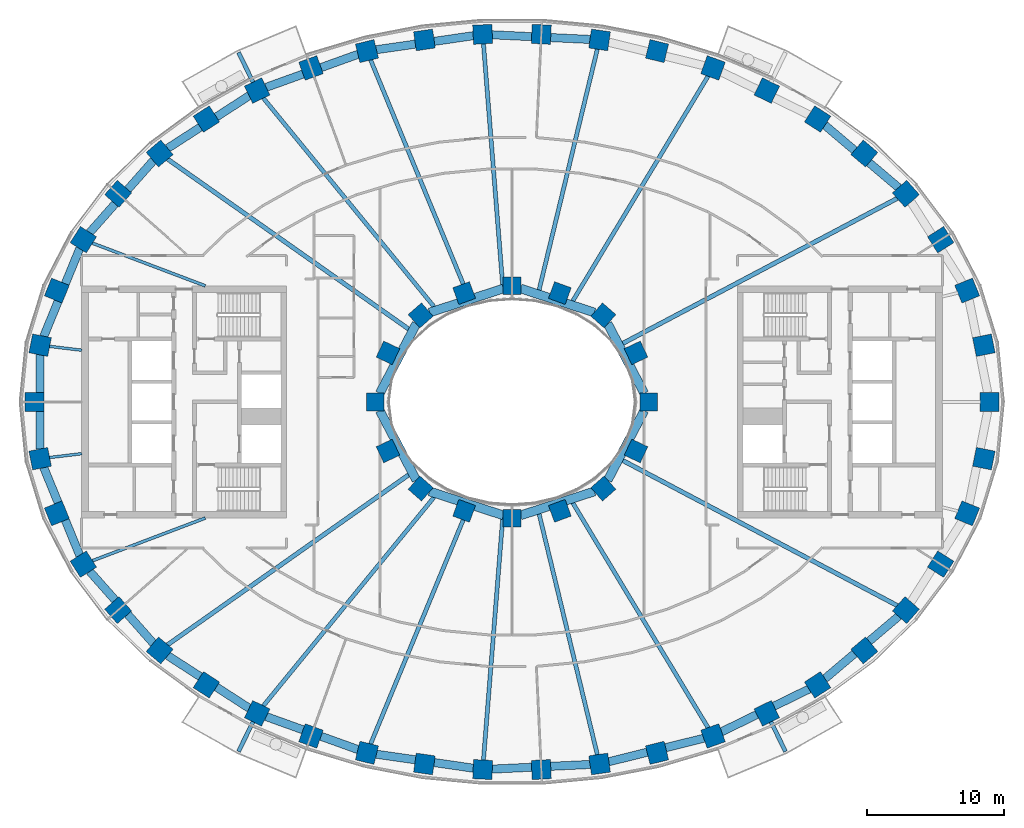
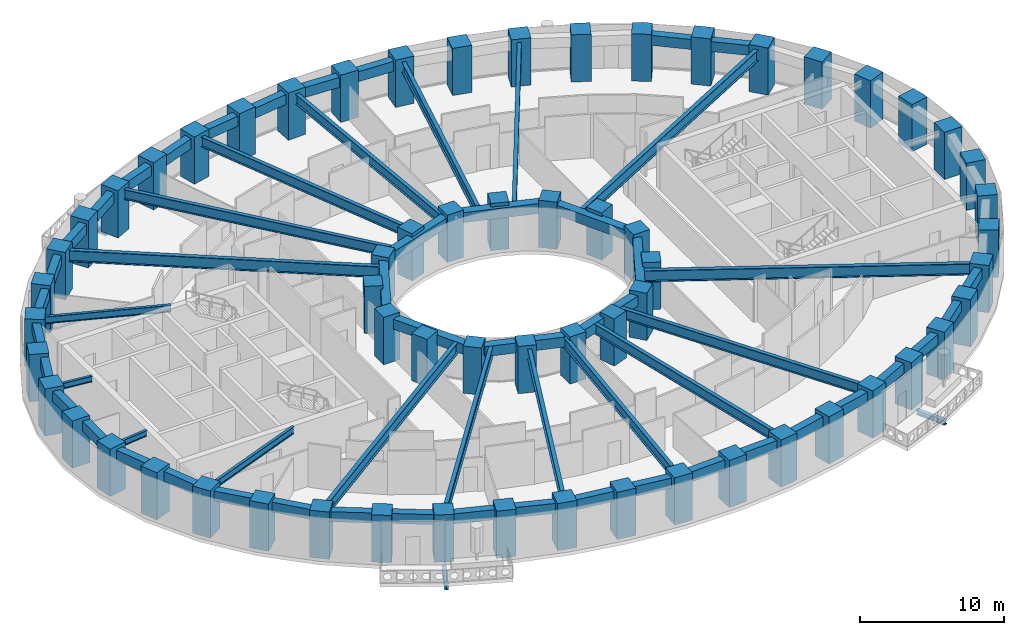
# One storey, part 1 of 16: 62 columns, 46 beams.
"""IFC4 building model written with IfcOpenShell, lengths in metres."""

from ifc_helpers import new_model, si_unit, direction, frame, origin, origin_2d, place, context, subcontext, project, spatial, rectangle, i_section, extrude, material, material_profile, profile_set, type_object, element, save


model = new_model("IFC4")

# Units and contexts
model_context = context("Model", 3, precision=1e-05, world=origin(), true_north=direction((0.0, 1.0)))
body_context = subcontext(model_context, "Body", "Model", "MODEL_VIEW")
ifc_project = project(units=[si_unit("LENGTHUNIT", "METRE"), si_unit("AREAUNIT", "SQUARE_METRE"), si_unit("VOLUMEUNIT", "CUBIC_METRE"), si_unit("PLANEANGLEUNIT", "RADIAN"), si_unit("MASSUNIT", "GRAM", prefix="KILO")], contexts=[model_context])

# Site, building, storey
site_placement = place(None, origin())
site = spatial("IfcSite", under=ifc_project, at=site_placement, CompositionType="ELEMENT")
building_placement = place(site_placement, origin())
building = spatial("IfcBuilding", under=site, at=building_placement, Name="Noorbagh Ring Tower", CompositionType="ELEMENT")
storey_placement = place(building_placement, frame((0.0, 0.0, 74.5)))
storey = spatial("IfcBuildingStorey", under=building, at=storey_placement, Name="L16", CompositionType="ELEMENT", Elevation=74.5)

# Columns
ifc_material_1 = material(Name="Concrete C70/85", Category="concrete")
ifc_material_profile_1 = material_profile(ifc_material_1, rectangle(XDim=1.39990234375, YDim=1.39990234375, at=origin_2d()), Name="RC1400x1400")
ifc_profile_set_1 = profile_set([ifc_material_profile_1], Name="Concrete C70/85")
column_type_1 = type_object("IfcColumnType", Name="STR-COL-RC1400x1400-C70-85", PredefinedType="COLUMN", material=ifc_profile_set_1)
for number, where, z_axis, x_axis, name in (
    (1, (34.944580078125, 0.0, 0.0), (0.0, 0.0, 1.0), (0.0, 1.0, 0.0), "L16/col/R1-01"),
    (2, (34.52685546875, 4.150634765625, 0.0), (0.0, 0.0, 1.0), (-0.19723040178, 0.9803571638, 0.0), "L16/col/R1-02"),
    (3, (33.30517578125, 8.1494140625, 0.0), (0.0, 0.0, 1.0), (-0.378989499959, 0.925400971969, 0.0), "L16/col/R1-03"),
    (4, (31.364990234375, 11.87109375, 0.0), (0.0, 0.0, 1.0), (-0.535190403059, 0.844731455833, 0.0), "L16/col/R1-04"),
    (5, (28.81884765625, 15.23046875, 0.0), (0.0, 0.0, 1.0), (-0.662635642662, 0.748941923699, 0.0), "L16/col/R1-05"),
    (6, (25.78271484375, 18.180419921875, 0.0), (0.0, 0.0, 1.0), (-0.763035199656, 0.646356932419, 0.0), "L16/col/R1-06"),
    (7, (22.362060546875, 20.699951171875, 0.0), (0.0, 0.0, 1.0), (-0.840247639643, 0.542202825586, 0.0), "L16/col/R1-07"),
    (8, (18.646240234375, 22.785400390625, 0.0), (0.0, 0.0, 1.0), (-0.898399080868, 0.439180021741, 0.0), "L16/col/R1-08"),
    (9, (14.70947265625, 24.44091796875, 0.0), (0.0, 0.0, 1.0), (-0.941024726094, 0.338337797003, 0.0), "L16/col/R1-09"),
    (10, (10.61328125, 25.673583984375, 0.0), (0.0, 0.0, 1.0), (-0.970829360981, 0.239771457553, 0.0), "L16/col/R1-10"),
    (11, (6.4091796875, 26.49072265625, 0.0), (0.0, 0.0, 1.0), (-0.989713114048, 0.143066249975, 0.0), "L16/col/R1-11"),
    (12, (2.14306640625, 26.89794921875, 0.0), (0.0, 0.0, 1.0), (-0.998868731212, 0.047552684538, 0.0), "L16/col/R1-12"),
    (13, (-2.14306640625, 26.89794921875, 0.0), (0.0, 0.0, 1.0), (-0.998868731212, -0.047552684538, 0.0), "L16/col/R1-13"),
    (14, (-6.4091796875, 26.49072265625, 0.0), (0.0, 0.0, 1.0), (-0.989713114048, -0.143066249975, 0.0), "L16/col/R1-14"),
    (15, (-10.61328125, 25.673583984375, 0.0), (0.0, 0.0, 1.0), (-0.970829360981, -0.239771457553, 0.0), "L16/col/R1-15"),
    (16, (-14.70947265625, 24.44091796875, 0.0), (0.0, 0.0, 1.0), (-0.941024726094, -0.338337797003, 0.0), "L16/col/R1-16"),
    (17, (-18.646240234375, 22.785400390625, 0.0), (0.0, 0.0, 1.0), (-0.898399080868, -0.439180021741, 0.0), "L16/col/R1-17"),
    (18, (-22.362060546875, 20.699951171875, 0.0), (0.0, 0.0, 1.0), (-0.840247639643, -0.542202825586, 0.0), "L16/col/R1-18"),
    (19, (-25.78271484375, 18.180419921875, 0.0), (0.0, 0.0, 1.0), (-0.763035199656, -0.646356932419, 0.0), "L16/col/R1-19"),
    (20, (-28.81884765625, 15.23046875, 0.0), (0.0, 0.0, 1.0), (-0.662635642662, -0.748941923699, 0.0), "L16/col/R1-20"),
    (21, (-31.364990234375, 11.87109375, 0.0), (0.0, 0.0, 1.0), (-0.535190403059, -0.844731455833, 0.0), "L16/col/R1-21"),
    (22, (-33.30517578125, 8.1494140625, 0.0), (0.0, 0.0, 1.0), (-0.378989499959, -0.925400971969, 0.0), "L16/col/R1-22"),
    (23, (-34.52685546875, 4.150634765625, 0.0), (0.0, 0.0, 1.0), (-0.19723040178, -0.9803571638, 0.0), "L16/col/R1-23"),
    (24, (-34.944580078125, 0.0, 0.0), (0.0, 0.0, 1.0), (0.0, -1.0, 0.0), "L16/col/R1-24"),
    (25, (-34.52685546875, -4.150634765625, 0.0), (0.0, 0.0, 1.0), (0.19723040178, -0.9803571638, 0.0), "L16/col/R1-25"),
    (26, (-33.30517578125, -8.1494140625, 0.0), (0.0, 0.0, 1.0), (0.378989499959, -0.925400971969, 0.0), "L16/col/R1-26"),
    (27, (-31.364990234375, -11.87109375, 0.0), (0.0, 0.0, 1.0), (0.535190403059, -0.844731455833, 0.0), "L16/col/R1-27"),
    (28, (-28.81884765625, -15.23046875, 0.0), (0.0, 0.0, 1.0), (0.662635642662, -0.748941923699, 0.0), "L16/col/R1-28"),
    (29, (-25.78271484375, -18.180419921875, 0.0), (0.0, 0.0, 1.0), (0.763035199656, -0.646356932419, 0.0), "L16/col/R1-29"),
    (30, (-22.362060546875, -20.699951171875, 0.0), (0.0, 0.0, 1.0), (0.840247639643, -0.542202825586, 0.0), "L16/col/R1-30"),
    (31, (-18.646240234375, -22.785400390625, 0.0), (0.0, 0.0, 1.0), (0.898399080868, -0.439180021741, 0.0), "L16/col/R1-31"),
    (32, (-14.70947265625, -24.44091796875, 0.0), (0.0, 0.0, 1.0), (0.941024726094, -0.338337797003, 0.0), "L16/col/R1-32"),
    (33, (-10.61328125, -25.673583984375, 0.0), (0.0, 0.0, 1.0), (0.970829360981, -0.239771457553, 0.0), "L16/col/R1-33"),
    (34, (-6.4091796875, -26.49072265625, 0.0), (0.0, 0.0, 1.0), (0.989713114048, -0.143066249975, 0.0), "L16/col/R1-34"),
    (35, (-2.14306640625, -26.89794921875, 0.0), (0.0, 0.0, 1.0), (0.998868731212, -0.047552684538, 0.0), "L16/col/R1-35"),
    (36, (2.14306640625, -26.89794921875, 0.0), (0.0, 0.0, 1.0), (0.998868731212, 0.047552684538, 0.0), "L16/col/R1-36"),
    (37, (6.4091796875, -26.49072265625, 0.0), (0.0, 0.0, 1.0), (0.989713114048, 0.143066249975, 0.0), "L16/col/R1-37"),
    (38, (10.61328125, -25.673583984375, 0.0), (0.0, 0.0, 1.0), (0.970829360981, 0.239771457553, 0.0), "L16/col/R1-38"),
    (39, (14.70947265625, -24.44091796875, 0.0), (0.0, 0.0, 1.0), (0.941024726094, 0.338337797003, 0.0), "L16/col/R1-39"),
    (40, (18.646240234375, -22.785400390625, 0.0), (0.0, 0.0, 1.0), (0.898399080868, 0.439180021741, 0.0), "L16/col/R1-40"),
    (41, (22.362060546875, -20.699951171875, 0.0), (0.0, 0.0, 1.0), (0.840247639643, 0.542202825586, 0.0), "L16/col/R1-41"),
    (42, (25.78271484375, -18.180419921875, 0.0), (0.0, 0.0, 1.0), (0.763035199656, 0.646356932419, 0.0), "L16/col/R1-42"),
    (43, (28.81884765625, -15.23046875, 0.0), (0.0, 0.0, 1.0), (0.662635642662, 0.748941923699, 0.0), "L16/col/R1-43"),
    (44, (31.364990234375, -11.87109375, 0.0), (0.0, 0.0, 1.0), (0.535190403059, 0.844731455833, 0.0), "L16/col/R1-44"),
    (45, (33.30517578125, -8.1494140625, 0.0), (0.0, 0.0, 1.0), (0.378989499959, 0.925400971969, 0.0), "L16/col/R1-45"),
    (46, (34.52685546875, -4.150634765625, 0.0), (0.0, 0.0, 1.0), (0.19723040178, 0.9803571638, 0.0), "L16/col/R1-46"),
):
    element("IfcColumn", number, at=place(storey_placement, frame(where, z_axis=z_axis, x_axis=x_axis)), inside=storey, type_object=column_type_1, Name=name, PredefinedType="COLUMN", context=body_context, shape_type="SweptSolid", body=[
        extrude(rectangle(XDim=1.39990234375, YDim=1.39990234375, at=origin_2d()), origin(), (0.0, 0.0, 1.0), 4.0),
    ])
ifc_material_2 = material(Name="Concrete C70/85", Category="concrete")
ifc_material_profile_2 = material_profile(ifc_material_2, rectangle(XDim=1.300048828125, YDim=1.300048828125, at=origin_2d()), Name="RC1300x1300")
ifc_profile_set_2 = profile_set([ifc_material_profile_2], Name="Concrete C70/85")
column_type_2 = type_object("IfcColumnType", Name="STR-ICOL-RC1300x1300-C70-85", PredefinedType="COLUMN", material=ifc_profile_set_2)
for number, where, z_axis, x_axis, name in (
    (47, (10.00830078125, 0.0, 0.0), (0.0, 0.0, 1.0), (0.0, 1.0, 0.0), "L16/col/IR2-W01"),
    (48, (9.07568359375, 3.58837890625, 0.0), (0.0, 0.0, 1.0), (-0.428666979171, 0.903462573087, 0.0), "L16/col/IR2-W03"),
    (49, (6.68212890625, 6.333740234375, 0.0), (0.0, 0.0, 1.0), (-0.75102249095, 0.660276622399, 0.0), "L16/col/IR2-W05"),
    (50, (3.5009765625, 7.967041015625, 0.0), (0.0, 0.0, 1.0), (-0.939019578916, 0.343863679984, 0.0), "L16/col/IR2-W07"),
    (51, (0.0, 8.5029296875, 0.0), (0.0, 0.0, 1.0), (-1.0, 0.0, 0.0), "L16/col/IR2-W09"),
    (52, (-3.5009765625, 7.967041015625, 0.0), (0.0, 0.0, 1.0), (-0.939019578916, -0.343863679984, 0.0), "L16/col/IR2-W11"),
    (53, (-6.68212890625, 6.333740234375, 0.0), (0.0, 0.0, 1.0), (-0.75102249095, -0.660276622399, 0.0), "L16/col/IR2-W13"),
    (54, (-9.07568359375, 3.58837890625, 0.0), (0.0, 0.0, 1.0), (-0.428666979171, -0.903462573087, 0.0), "L16/col/IR2-W15"),
    (55, (-10.00830078125, 0.0, 0.0), (0.0, 0.0, 1.0), (0.0, -1.0, 0.0), "L16/col/IR2-W17"),
    (56, (-9.07568359375, -3.58837890625, 0.0), (0.0, 0.0, 1.0), (0.428666979171, -0.903462573087, 0.0), "L16/col/IR2-W19"),
    (57, (-6.68212890625, -6.333740234375, 0.0), (0.0, 0.0, 1.0), (0.75102249095, -0.660276622399, 0.0), "L16/col/IR2-W21"),
    (58, (-3.5009765625, -7.967041015625, 0.0), (0.0, 0.0, 1.0), (0.939019578916, -0.343863679984, 0.0), "L16/col/IR2-W23"),
    (59, (0.0, -8.5029296875, 0.0), (0.0, 0.0, 1.0), (1.0, 0.0, 0.0), "L16/col/IR2-W25"),
    (60, (3.5009765625, -7.967041015625, 0.0), (0.0, 0.0, 1.0), (0.939019578916, 0.343863679984, 0.0), "L16/col/IR2-W27"),
    (61, (6.68212890625, -6.333740234375, 0.0), (0.0, 0.0, 1.0), (0.75102249095, 0.660276622399, 0.0), "L16/col/IR2-W29"),
    (62, (9.07568359375, -3.58837890625, 0.0), (0.0, 0.0, 1.0), (0.428666979171, 0.903462573087, 0.0), "L16/col/IR2-W31"),
):
    element("IfcColumn", number, at=place(storey_placement, frame(where, z_axis=z_axis, x_axis=x_axis)), inside=storey, type_object=column_type_2, Name=name, PredefinedType="COLUMN", context=body_context, shape_type="SweptSolid", body=[
        extrude(rectangle(XDim=1.300048828125, YDim=1.300048828125, at=origin_2d()), origin(), (0.0, 0.0, 1.0), 4.0),
    ])

# Beams
ifc_material_3 = material(Name="Steel S355", Category="steel")
ifc_material_profile_3 = material_profile(ifc_material_3, i_section(OverallWidth=0.300048828125, OverallDepth=0.39990234375, WebThickness=0.013427734375, FlangeThickness=0.02392578125, FilletRadius=0.027099609375, at=origin_2d()), Name="HEB400")
ifc_profile_set_3 = profile_set([ifc_material_profile_3], Name="Steel S355")
beam_type_1 = type_object("IfcBeamType", Name="STR-BALCONY-BRACKET-HEB400", PredefinedType="BEAM", material=ifc_profile_set_3)
for number, where, z_axis, x_axis, name in (
    (63, (-18.945068359375, 23.396240234375, -0.5), (-0.439222770869, 0.898378181809, 0.0), (-0.898378181809, -0.439222770869, 0.0), "Balcony bracket beam BN05"),
    (64, (-18.945068359375, -23.396240234375, -0.5), (-0.439222770869, -0.898378181809, 0.0), (0.898378181809, -0.439222770869, 0.0), "Balcony bracket beam BS02"),
    (65, (18.945068359375, -23.396240234375, -0.5), (0.439222770869, -0.898378181809, 0.0), (0.898378181809, 0.439222770869, 0.0), "Balcony bracket beam BS05"),
):
    element("IfcBeam", number, at=place(storey_placement, frame(where, z_axis=z_axis, x_axis=x_axis)), inside=storey, type_object=beam_type_1, Name=name, PredefinedType="BEAM", context=body_context, shape_type="SweptSolid", body=[
        extrude(i_section(OverallWidth=0.300048828125, OverallDepth=0.39990234375, WebThickness=0.013427734375, FlangeThickness=0.02392578125, FilletRadius=0.027099609375, at=origin_2d()), origin(), (0.0, 0.0, 1.0), 2.425048828125),
    ])
ifc_material_4 = material(Name="Steel S355", Category="steel")
ifc_material_profile_4 = material_profile(ifc_material_4, i_section(OverallWidth=0.199951171875, OverallDepth=0.5, WebThickness=0.01025390625, FlangeThickness=0.01611328125, FilletRadius=0.02099609375, at=origin_2d()), Name="IPE500")
ifc_profile_set_4 = profile_set([ifc_material_profile_4], Name="Steel S355")
beam_type_2 = type_object("IfcBeamType", Name="STR-RAD-IPE500", PredefinedType="BEAM", material=ifc_profile_set_4)
for number, where, z_axis, x_axis, name in (
    (66, (-33.849365234375, 4.0693359375, 3.449951171875), (0.992846305677, -0.119399385689, 0.0), (0.119399385689, 0.992846305677, 0.0), "L16/bm/RD23"),
    (67, (-33.849365234375, -4.0693359375, 3.449951171875), (0.992846305677, 0.119399385689, 0.0), (-0.119399385689, 0.992846305677, 0.0), "L16/bm/RD25"),
):
    element("IfcBeam", number, at=place(storey_placement, frame(where, z_axis=z_axis, x_axis=x_axis)), inside=storey, type_object=beam_type_2, Name=name, PredefinedType="BEAM", context=body_context, shape_type="SweptSolid", body=[
        extrude(i_section(OverallWidth=0.199951171875, OverallDepth=0.5, WebThickness=0.01025390625, FlangeThickness=0.01611328125, FilletRadius=0.02099609375, at=origin_2d()), origin(), (0.0, 0.0, 1.0), 2.38623046875),
    ])
ifc_material_5 = material(Name="Steel S355", Category="steel")
ifc_material_profile_5 = material_profile(ifc_material_5, i_section(OverallWidth=0.219970703125, OverallDepth=0.60009765625, WebThickness=0.011962890625, FlangeThickness=0.01904296875, FilletRadius=0.02392578125, at=origin_2d()), Name="IPE600")
ifc_profile_set_5 = profile_set([ifc_material_profile_5], Name="Steel S355")
beam_type_3 = type_object("IfcBeamType", Name="STR-RAD-IPE600", PredefinedType="BEAM", material=ifc_profile_set_5)
for number, where, z_axis, x_axis, name in (
    (68, (-30.71533203125, 11.625, 3.39990234375), (0.935257869922, -0.353967112524, 0.0), (0.353967112524, 0.935257869922, 0.0), "L16/bm/RD21"),
    (69, (-30.71533203125, -11.625, 3.39990234375), (0.935257869922, 0.353967112524, 0.0), (-0.353967112524, 0.935257869922, 0.0), "L16/bm/RD27"),
):
    element("IfcBeam", number, at=place(storey_placement, frame(where, z_axis=z_axis, x_axis=x_axis)), inside=storey, type_object=beam_type_3, Name=name, PredefinedType="BEAM", context=body_context, shape_type="SweptSolid", body=[
        extrude(i_section(OverallWidth=0.219970703125, OverallDepth=0.60009765625, WebThickness=0.011962890625, FlangeThickness=0.01904296875, FilletRadius=0.02392578125, at=origin_2d()), origin(), (0.0, 0.0, 1.0), 8.848388671875),
    ])
ifc_material_6 = material(Name="Steel S355", Category="steel")
ifc_material_profile_6 = material_profile(ifc_material_6, i_section(OverallWidth=0.300048828125, OverallDepth=0.85009765625, WebThickness=0.013916015625, FlangeThickness=0.028076171875, at=origin_2d()), Name="PG850x300x14x28")
ifc_profile_set_6 = profile_set([ifc_material_profile_6], Name="Steel S355")
beam_type_4 = type_object("IfcBeamType", Name="STR-RAD-PG850x300x14x28", PredefinedType="BEAM", material=ifc_profile_set_6)
beam_1_placement = place(storey_placement, frame((14.351806640625, 23.846435546875, 3.27490234375), z_axis=(-0.515659258166, -0.856793749667, 0.0), x_axis=(0.856793749667, -0.515659258166, 0.0)))
element("IfcBeam", 70, at=beam_1_placement, inside=storey, type_object=beam_type_4, Name="L16/bm/RD09", PredefinedType="BEAM", context=body_context, shape_type="SweptSolid", body=[
    extrude(i_section(OverallWidth=0.300048828125, OverallDepth=0.85009765625, WebThickness=0.013916015625, FlangeThickness=0.028076171875, at=origin_2d()), origin(), (0.0, 0.0, 1.0), 19.216552734375),
])
beam_2_placement = place(storey_placement, frame((6.24853515625, 25.826904296875, 3.27490234375), z_axis=(-0.235159307557, -0.971956840641, 0.0), x_axis=(0.971956840641, -0.235159307557, 0.0)))
element("IfcBeam", 71, at=beam_2_placement, inside=storey, type_object=beam_type_4, Name="L16/bm/RD11", PredefinedType="BEAM", context=body_context, shape_type="SweptSolid", body=[
    extrude(i_section(OverallWidth=0.300048828125, OverallDepth=0.85009765625, WebThickness=0.013916015625, FlangeThickness=0.028076171875, at=origin_2d()), origin(), (0.0, 0.0, 1.0), 18.15478515625),
])
beam_3_placement = place(storey_placement, frame((-2.089111328125, 26.2197265625, 3.27490234375), z_axis=(0.079423302335, -0.996840979819, 0.0), x_axis=(0.996840979819, 0.079423302335, 0.0)))
element("IfcBeam", 72, at=beam_3_placement, inside=storey, type_object=beam_type_4, Name="L16/bm/RD13", PredefinedType="BEAM", context=body_context, shape_type="SweptSolid", body=[
    extrude(i_section(OverallWidth=0.300048828125, OverallDepth=0.85009765625, WebThickness=0.013916015625, FlangeThickness=0.028076171875, at=origin_2d()), origin(), (0.0, 0.0, 1.0), 17.874755859375),
])
beam_4_placement = place(storey_placement, frame((-10.350341796875, 25.037841796875, 3.27490234375), z_axis=(0.382027684337, -0.924150879673, 0.0), x_axis=(0.924150879673, 0.382027684337, 0.0)))
element("IfcBeam", 73, at=beam_4_placement, inside=storey, type_object=beam_type_4, Name="L16/bm/RD15", PredefinedType="BEAM", context=body_context, shape_type="SweptSolid", body=[
    extrude(i_section(OverallWidth=0.300048828125, OverallDepth=0.85009765625, WebThickness=0.013916015625, FlangeThickness=0.028076171875, at=origin_2d()), origin(), (0.0, 0.0, 1.0), 18.6748046875),
])
for number, where, z_axis, x_axis, name in (
    (74, (-18.20361328125, 22.244384765625, 3.27490234375), (0.633313916814, -0.773895007588, 0.0), (0.773895007588, 0.633313916814, 0.0), "L16/bm/RD17"),
    (75, (-18.20361328125, -22.244384765625, 3.27490234375), (0.633313916814, 0.773895007588, 0.0), (-0.773895007588, 0.633313916814, 0.0), "L16/bm/RD31"),
):
    element("IfcBeam", number, at=place(storey_placement, frame(where, z_axis=z_axis, x_axis=x_axis)), inside=storey, type_object=beam_type_4, Name=name, PredefinedType="BEAM", context=body_context, shape_type="SweptSolid", body=[
        extrude(i_section(OverallWidth=0.300048828125, OverallDepth=0.85009765625, WebThickness=0.013916015625, FlangeThickness=0.028076171875, at=origin_2d()), origin(), (0.0, 0.0, 1.0), 19.733642578125),
    ])
beam_5_placement = place(storey_placement, frame((-10.350341796875, -25.037841796875, 3.27490234375), z_axis=(0.382027684337, 0.924150879673, 0.0), x_axis=(-0.924150879673, 0.382027684337, 0.0)))
element("IfcBeam", 76, at=beam_5_placement, inside=storey, type_object=beam_type_4, Name="L16/bm/RD33", PredefinedType="BEAM", context=body_context, shape_type="SweptSolid", body=[
    extrude(i_section(OverallWidth=0.300048828125, OverallDepth=0.85009765625, WebThickness=0.013916015625, FlangeThickness=0.028076171875, at=origin_2d()), origin(), (0.0, 0.0, 1.0), 18.6748046875),
])
beam_6_placement = place(storey_placement, frame((-2.089111328125, -26.2197265625, 3.27490234375), z_axis=(0.079423302335, 0.996840979819, 0.0), x_axis=(-0.996840979819, 0.079423302335, 0.0)))
element("IfcBeam", 77, at=beam_6_placement, inside=storey, type_object=beam_type_4, Name="L16/bm/RD35", PredefinedType="BEAM", context=body_context, shape_type="SweptSolid", body=[
    extrude(i_section(OverallWidth=0.300048828125, OverallDepth=0.85009765625, WebThickness=0.013916015625, FlangeThickness=0.028076171875, at=origin_2d()), origin(), (0.0, 0.0, 1.0), 17.874755859375),
])
beam_7_placement = place(storey_placement, frame((6.24853515625, -25.826904296875, 3.27490234375), z_axis=(-0.235159307557, 0.971956840641, 0.0), x_axis=(-0.971956840641, -0.235159307557, 0.0)))
element("IfcBeam", 78, at=beam_7_placement, inside=storey, type_object=beam_type_4, Name="L16/bm/RD37", PredefinedType="BEAM", context=body_context, shape_type="SweptSolid", body=[
    extrude(i_section(OverallWidth=0.300048828125, OverallDepth=0.85009765625, WebThickness=0.013916015625, FlangeThickness=0.028076171875, at=origin_2d()), origin(), (0.0, 0.0, 1.0), 18.15478515625),
])
beam_8_placement = place(storey_placement, frame((14.351806640625, -23.846435546875, 3.27490234375), z_axis=(-0.515659258166, 0.856793749667, 0.0), x_axis=(-0.856793749667, -0.515659258166, 0.0)))
element("IfcBeam", 79, at=beam_8_placement, inside=storey, type_object=beam_type_4, Name="L16/bm/RD39", PredefinedType="BEAM", context=body_context, shape_type="SweptSolid", body=[
    extrude(i_section(OverallWidth=0.300048828125, OverallDepth=0.85009765625, WebThickness=0.013916015625, FlangeThickness=0.028076171875, at=origin_2d()), origin(), (0.0, 0.0, 1.0), 19.216552734375),
])
ifc_material_7 = material(Name="Steel S355", Category="steel")
ifc_material_profile_7 = material_profile(ifc_material_7, i_section(OverallWidth=0.320068359375, OverallDepth=0.949951171875, WebThickness=0.01611328125, FlangeThickness=0.030029296875, at=origin_2d()), Name="PG950x320x16x30")
ifc_profile_set_7 = profile_set([ifc_material_profile_7], Name="Steel S355")
beam_type_5 = type_object("IfcBeamType", Name="STR-RAD-PG950x320x16x30", PredefinedType="BEAM", material=ifc_profile_set_7)
beam_9_placement = place(storey_placement, frame((28.19970703125, 14.9033203125, 3.22509765625), z_axis=(-0.884122895435, -0.467254433652, 0.0), x_axis=(0.467254433652, -0.884122895435, 0.0)))
element("IfcBeam", 80, at=beam_9_placement, inside=storey, type_object=beam_type_5, Name="L16/bm/RD05", PredefinedType="BEAM", context=body_context, shape_type="SweptSolid", body=[
    extrude(i_section(OverallWidth=0.320068359375, OverallDepth=0.949951171875, WebThickness=0.01611328125, FlangeThickness=0.030029296875, at=origin_2d()), origin(), (0.0, 0.0, 1.0), 22.729736328125),
])
for number, where, z_axis, x_axis, name in (
    (81, (-25.2080078125, 17.775146484375, 3.22509765625), (0.817254380301, -0.576277084291, 0.0), (0.576277084291, 0.817254380301, 0.0), "L16/bm/RD19"),
    (82, (-25.2080078125, -17.775146484375, 3.22509765625), (0.817254380301, 0.576277084291, 0.0), (-0.576277084291, 0.817254380301, 0.0), "L16/bm/RD29"),
):
    element("IfcBeam", number, at=place(storey_placement, frame(where, z_axis=z_axis, x_axis=x_axis)), inside=storey, type_object=beam_type_5, Name=name, PredefinedType="BEAM", context=body_context, shape_type="SweptSolid", body=[
        extrude(i_section(OverallWidth=0.320068359375, OverallDepth=0.949951171875, WebThickness=0.01611328125, FlangeThickness=0.030029296875, at=origin_2d()), origin(), (0.0, 0.0, 1.0), 21.599853515625),
    ])
beam_10_placement = place(storey_placement, frame((28.19970703125, -14.9033203125, 3.22509765625), z_axis=(-0.884122895435, 0.467254433652, 0.0), x_axis=(-0.467254433652, -0.884122895435, 0.0)))
element("IfcBeam", 83, at=beam_10_placement, inside=storey, type_object=beam_type_5, Name="L16/bm/RD43", PredefinedType="BEAM", context=body_context, shape_type="SweptSolid", body=[
    extrude(i_section(OverallWidth=0.320068359375, OverallDepth=0.949951171875, WebThickness=0.01611328125, FlangeThickness=0.030029296875, at=origin_2d()), origin(), (0.0, 0.0, 1.0), 22.729736328125),
])
ifc_material_8 = material(Name="Concrete C40/50", Category="concrete")
ifc_material_profile_8 = material_profile(ifc_material_8, rectangle(XDim=0.64990234375, YDim=0.85009765625, at=origin_2d()), Name="RC650x850")
ifc_profile_set_8 = profile_set([ifc_material_profile_8], Name="Concrete C40/50")
beam_type_6 = type_object("IfcBeamType", Name="STR-RB-RC650x850-C40-50", PredefinedType="BEAM", material=ifc_profile_set_8)
beam_11_placement = place(storey_placement, frame((9.67626953125, 0.63232421875, 3.27490234375), z_axis=(-0.464932685401, 0.885346032942, 0.0), x_axis=(-0.885346032942, -0.464932685401, 0.0)))
element("IfcBeam", 84, at=beam_11_placement, inside=storey, type_object=beam_type_6, Name="L16/bm/RG01", PredefinedType="BEAM", context=body_context, shape_type="SweptSolid", body=[
    extrude(rectangle(XDim=0.64990234375, YDim=0.85009765625, at=origin_2d()), origin(), (0.0, 0.0, 1.0), 5.763671875),
])
for number, where, z_axis, x_axis, name in (
    (85, (6.02783203125, 6.546142578125, 3.27490234375), (-0.95114088461, 0.308757214691, 0.0), (-0.308757214691, -0.95114088461, 0.0), "L16/bm/RG03"),
    (86, (-0.630859375, 8.298095703125, 3.27490234375), (-0.95114088461, -0.308757214691, 0.0), (0.308757214691, -0.95114088461, 0.0), "L16/bm/RG05"),
):
    element("IfcBeam", number, at=place(storey_placement, frame(where, z_axis=z_axis, x_axis=x_axis)), inside=storey, type_object=beam_type_6, Name=name, PredefinedType="BEAM", context=body_context, shape_type="SweptSolid", body=[
        extrude(rectangle(XDim=0.64990234375, YDim=0.85009765625, at=origin_2d()), origin(), (0.0, 0.0, 1.0), 5.67431640625),
    ])
for number, where, z_axis, x_axis, name in (
    (87, (-6.99658203125, 5.735107421875, 3.27490234375), (-0.464932685401, -0.885346032942, 0.0), (0.885346032942, -0.464932685401, 0.0), "L16/bm/RG07"),
    (88, (-9.67626953125, -0.63232421875, 3.27490234375), (0.464932685401, -0.885346032942, 0.0), (0.885346032942, 0.464932685401, 0.0), "L16/bm/RG09"),
):
    element("IfcBeam", number, at=place(storey_placement, frame(where, z_axis=z_axis, x_axis=x_axis)), inside=storey, type_object=beam_type_6, Name=name, PredefinedType="BEAM", context=body_context, shape_type="SweptSolid", body=[
        extrude(rectangle(XDim=0.64990234375, YDim=0.85009765625, at=origin_2d()), origin(), (0.0, 0.0, 1.0), 5.763671875),
    ])
for number, where, z_axis, x_axis, name in (
    (89, (-6.02783203125, -6.546142578125, 3.27490234375), (0.95114088461, -0.308757214691, 0.0), (0.308757214691, 0.95114088461, 0.0), "L16/bm/RG11"),
    (90, (0.630859375, -8.298095703125, 3.27490234375), (0.95114088461, 0.308757214691, 0.0), (-0.308757214691, 0.95114088461, 0.0), "L16/bm/RG13"),
):
    element("IfcBeam", number, at=place(storey_placement, frame(where, z_axis=z_axis, x_axis=x_axis)), inside=storey, type_object=beam_type_6, Name=name, PredefinedType="BEAM", context=body_context, shape_type="SweptSolid", body=[
        extrude(rectangle(XDim=0.64990234375, YDim=0.85009765625, at=origin_2d()), origin(), (0.0, 0.0, 1.0), 5.67431640625),
    ])
beam_12_placement = place(storey_placement, frame((6.99658203125, -5.735107421875, 3.27490234375), z_axis=(0.464932685401, 0.885346032942, 0.0), x_axis=(-0.885346032942, 0.464932685401, 0.0)))
element("IfcBeam", 91, at=beam_12_placement, inside=storey, type_object=beam_type_6, Name="L16/bm/RG15", PredefinedType="BEAM", context=body_context, shape_type="SweptSolid", body=[
    extrude(rectangle(XDim=0.64990234375, YDim=0.85009765625, at=origin_2d()), origin(), (0.0, 0.0, 1.0), 5.763671875),
])
ifc_material_9 = material(Name="Concrete C40/50", Category="concrete")
ifc_material_profile_9 = material_profile(ifc_material_9, rectangle(XDim=0.60009765625, YDim=0.85009765625, at=origin_2d()), Name="RC600x850")
ifc_profile_set_9 = profile_set([ifc_material_profile_9], Name="Concrete C40/50")
beam_type_7 = type_object("IfcBeamType", Name="STR-SB-RC600x850-C40-50", PredefinedType="BEAM", material=ifc_profile_set_9)
beam_13_placement = place(storey_placement, frame((28.29443359375, 15.6748046875, 3.27490234375), z_axis=(-0.763038677853, 0.646352826327, 0.0), x_axis=(-0.646352826327, -0.763038677853, 0.0)))
element("IfcBeam", 92, at=beam_13_placement, inside=storey, type_object=beam_type_7, Name="L16/bm/SP05", PredefinedType="BEAM", context=body_context, shape_type="SweptSolid", body=[
    extrude(rectangle(XDim=0.60009765625, YDim=0.85009765625, at=origin_2d()), origin(), (0.0, 0.0, 1.0), 7.088623046875),
])
beam_14_placement = place(storey_placement, frame((5.726806640625, 26.5234375, 3.27490234375), z_axis=(-0.998869595741, 0.047534521183, 0.0), x_axis=(-0.047534521183, -0.998869595741, 0.0)))
element("IfcBeam", 93, at=beam_14_placement, inside=storey, type_object=beam_type_7, Name="L16/bm/SP11", PredefinedType="BEAM", context=body_context, shape_type="SweptSolid", body=[
    extrude(rectangle(XDim=0.60009765625, YDim=0.85009765625, at=origin_2d()), origin(), (0.0, 0.0, 1.0), 7.195556640625),
])
beam_15_placement = place(storey_placement, frame((-2.8193359375, 26.80029296875, 3.27490234375), z_axis=(-0.989713887857, -0.143060896766, 0.0), x_axis=(0.143060896766, -0.989713887857, 0.0)))
element("IfcBeam", 94, at=beam_15_placement, inside=storey, type_object=beam_type_7, Name="L16/bm/SP13", PredefinedType="BEAM", context=body_context, shape_type="SweptSolid", body=[
    extrude(rectangle(XDim=0.60009765625, YDim=0.85009765625, at=origin_2d()), origin(), (0.0, 0.0, 1.0), 7.19140625),
])
beam_16_placement = place(storey_placement, frame((-11.256591796875, 25.4423828125, 3.27490234375), z_axis=(-0.941019322025, -0.338352827054, 0.0), x_axis=(0.338352827054, -0.941019322025, 0.0)))
element("IfcBeam", 95, at=beam_16_placement, inside=storey, type_object=beam_type_7, Name="L16/bm/SP15", PredefinedType="BEAM", context=body_context, shape_type="SweptSolid", body=[
    extrude(rectangle(XDim=0.60009765625, YDim=0.85009765625, at=origin_2d()), origin(), (0.0, 0.0, 1.0), 7.168701171875),
])
beam_17_placement = place(storey_placement, frame((-19.2216796875, 22.4140625, 3.27490234375), z_axis=(-0.840247280939, -0.542203381467, 0.0), x_axis=(0.542203381467, -0.840247280939, 0.0)))
element("IfcBeam", 96, at=beam_17_placement, inside=storey, type_object=beam_type_7, Name="L16/bm/SP17", PredefinedType="BEAM", context=body_context, shape_type="SweptSolid", body=[
    extrude(rectangle(XDim=0.60009765625, YDim=0.85009765625, at=origin_2d()), origin(), (0.0, 0.0, 1.0), 7.12255859375),
])
beam_18_placement = place(storey_placement, frame((-26.238037109375, 17.66552734375, 3.27490234375), z_axis=(-0.66264637691, -0.748932426303, 0.0), x_axis=(0.748932426303, -0.66264637691, 0.0)))
element("IfcBeam", 97, at=beam_18_placement, inside=storey, type_object=beam_type_7, Name="L16/bm/SP19", PredefinedType="BEAM", context=body_context, shape_type="SweptSolid", body=[
    extrude(rectangle(XDim=0.60009765625, YDim=0.85009765625, at=origin_2d()), origin(), (0.0, 0.0, 1.0), 7.048095703125),
])
beam_19_placement = place(storey_placement, frame((-31.626953125, 11.2314453125, 3.27490234375), z_axis=(-0.378975710003, -0.925406619399, 0.0), x_axis=(0.925406619399, -0.378975710003, 0.0)))
element("IfcBeam", 98, at=beam_19_placement, inside=storey, type_object=beam_type_7, Name="L16/bm/SP21", PredefinedType="BEAM", context=body_context, shape_type="SweptSolid", body=[
    extrude(rectangle(XDim=0.60009765625, YDim=0.85009765625, at=origin_2d()), origin(), (0.0, 0.0, 1.0), 6.958740234375),
])
beam_20_placement = place(storey_placement, frame((-34.52685546875, 3.45654296875, 3.27490234375), z_axis=(0.0, -1.0, 0.0), x_axis=(1.0, 0.0, 0.0)))
element("IfcBeam", 99, at=beam_20_placement, inside=storey, type_object=beam_type_7, Name="L16/bm/SP23", PredefinedType="BEAM", context=body_context, shape_type="SweptSolid", body=[
    extrude(rectangle(XDim=0.60009765625, YDim=0.85009765625, at=origin_2d()), origin(), (0.0, 0.0, 1.0), 6.9130859375),
])
beam_21_placement = place(storey_placement, frame((-34.26416015625, -4.791748046875, 3.27490234375), z_axis=(0.378975710003, -0.925406619399, 0.0), x_axis=(0.925406619399, 0.378975710003, 0.0)))
element("IfcBeam", 100, at=beam_21_placement, inside=storey, type_object=beam_type_7, Name="L16/bm/SP25", PredefinedType="BEAM", context=body_context, shape_type="SweptSolid", body=[
    extrude(rectangle(XDim=0.60009765625, YDim=0.85009765625, at=origin_2d()), origin(), (0.0, 0.0, 1.0), 6.958740234375),
])
beam_22_placement = place(storey_placement, frame((-30.908447265625, -12.386962890625, 3.27490234375), z_axis=(0.66264637691, -0.748932426303, 0.0), x_axis=(0.748932426303, 0.66264637691, 0.0)))
element("IfcBeam", 101, at=beam_22_placement, inside=storey, type_object=beam_type_7, Name="L16/bm/SP27", PredefinedType="BEAM", context=body_context, shape_type="SweptSolid", body=[
    extrude(rectangle(XDim=0.60009765625, YDim=0.85009765625, at=origin_2d()), origin(), (0.0, 0.0, 1.0), 7.048095703125),
])
beam_23_placement = place(storey_placement, frame((-25.206298828125, -18.55224609375, 3.27490234375), z_axis=(0.840247280939, -0.542203381467, 0.0), x_axis=(0.542203381467, 0.840247280939, 0.0)))
element("IfcBeam", 102, at=beam_23_placement, inside=storey, type_object=beam_type_7, Name="L16/bm/SP29", PredefinedType="BEAM", context=body_context, shape_type="SweptSolid", body=[
    extrude(rectangle(XDim=0.60009765625, YDim=0.85009765625, at=origin_2d()), origin(), (0.0, 0.0, 1.0), 7.12255859375),
])
beam_24_placement = place(storey_placement, frame((-18.00244140625, -23.016845703125, 3.27490234375), z_axis=(0.941019322025, -0.338352827054, 0.0), x_axis=(0.338352827054, 0.941019322025, 0.0)))
element("IfcBeam", 103, at=beam_24_placement, inside=storey, type_object=beam_type_7, Name="L16/bm/SP31", PredefinedType="BEAM", context=body_context, shape_type="SweptSolid", body=[
    extrude(rectangle(XDim=0.60009765625, YDim=0.85009765625, at=origin_2d()), origin(), (0.0, 0.0, 1.0), 7.168701171875),
])
beam_25_placement = place(storey_placement, frame((-9.936767578125, -25.771484375, 3.27490234375), z_axis=(0.989713887857, -0.143060896766, 0.0), x_axis=(0.143060896766, 0.989713887857, 0.0)))
element("IfcBeam", 104, at=beam_25_placement, inside=storey, type_object=beam_type_7, Name="L16/bm/SP33", PredefinedType="BEAM", context=body_context, shape_type="SweptSolid", body=[
    extrude(rectangle(XDim=0.60009765625, YDim=0.85009765625, at=origin_2d()), origin(), (0.0, 0.0, 1.0), 7.19140625),
])
beam_26_placement = place(storey_placement, frame((-1.460693359375, -26.865478515625, 3.27490234375), z_axis=(0.998869595741, 0.047534521183, 0.0), x_axis=(-0.047534521183, 0.998869595741, 0.0)))
element("IfcBeam", 105, at=beam_26_placement, inside=storey, type_object=beam_type_7, Name="L16/bm/SP35", PredefinedType="BEAM", context=body_context, shape_type="SweptSolid", body=[
    extrude(rectangle(XDim=0.60009765625, YDim=0.85009765625, at=origin_2d()), origin(), (0.0, 0.0, 1.0), 7.195556640625),
])
beam_27_placement = place(storey_placement, frame((7.07275390625, -26.326904296875, 3.27490234375), z_axis=(0.970828401591, 0.239775342069, 0.0), x_axis=(-0.239775342069, 0.970828401591, 0.0)))
element("IfcBeam", 106, at=beam_27_placement, inside=storey, type_object=beam_type_7, Name="L16/bm/SP37", PredefinedType="BEAM", context=body_context, shape_type="SweptSolid", body=[
    extrude(rectangle(XDim=0.60009765625, YDim=0.85009765625, at=origin_2d()), origin(), (0.0, 0.0, 1.0), 7.182373046875),
])
beam_28_placement = place(storey_placement, frame((15.32421875, -24.140380859375, 3.27490234375), z_axis=(0.898400530475, 0.43917705637, 0.0), x_axis=(-0.43917705637, 0.898400530475, 0.0)))
element("IfcBeam", 107, at=beam_28_placement, inside=storey, type_object=beam_type_7, Name="L16/bm/SP39", PredefinedType="BEAM", context=body_context, shape_type="SweptSolid", body=[
    extrude(rectangle(XDim=0.60009765625, YDim=0.85009765625, at=origin_2d()), origin(), (0.0, 0.0, 1.0), 7.14892578125),
])
beam_29_placement = place(storey_placement, frame((22.885498046875, -20.256591796875, 3.27490234375), z_axis=(0.763038677853, 0.646352826327, 0.0), x_axis=(-0.646352826327, 0.763038677853, 0.0)))
element("IfcBeam", 108, at=beam_29_placement, inside=storey, type_object=beam_type_7, Name="L16/bm/SP41", PredefinedType="BEAM", context=body_context, shape_type="SweptSolid", body=[
    extrude(rectangle(XDim=0.60009765625, YDim=0.85009765625, at=origin_2d()), origin(), (0.0, 0.0, 1.0), 7.088623046875),
])

save(model, "model.ifc")
